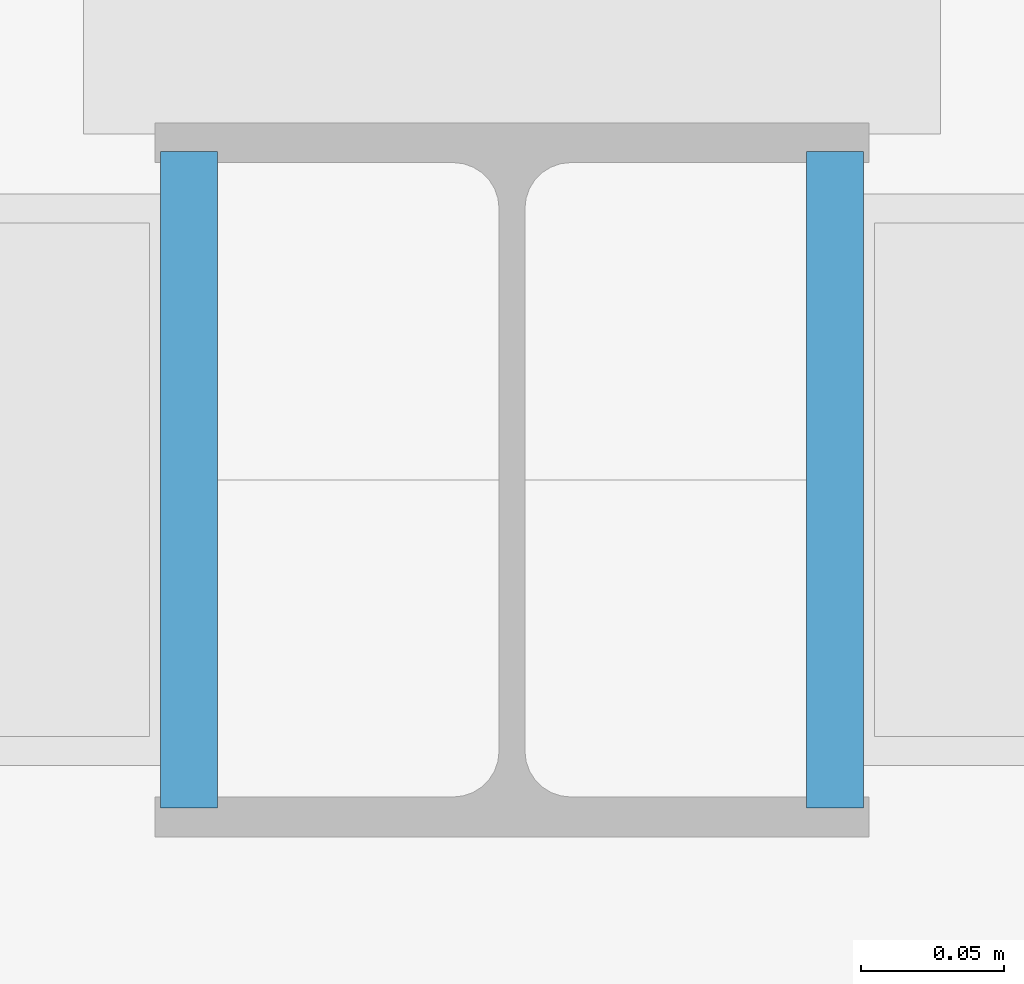
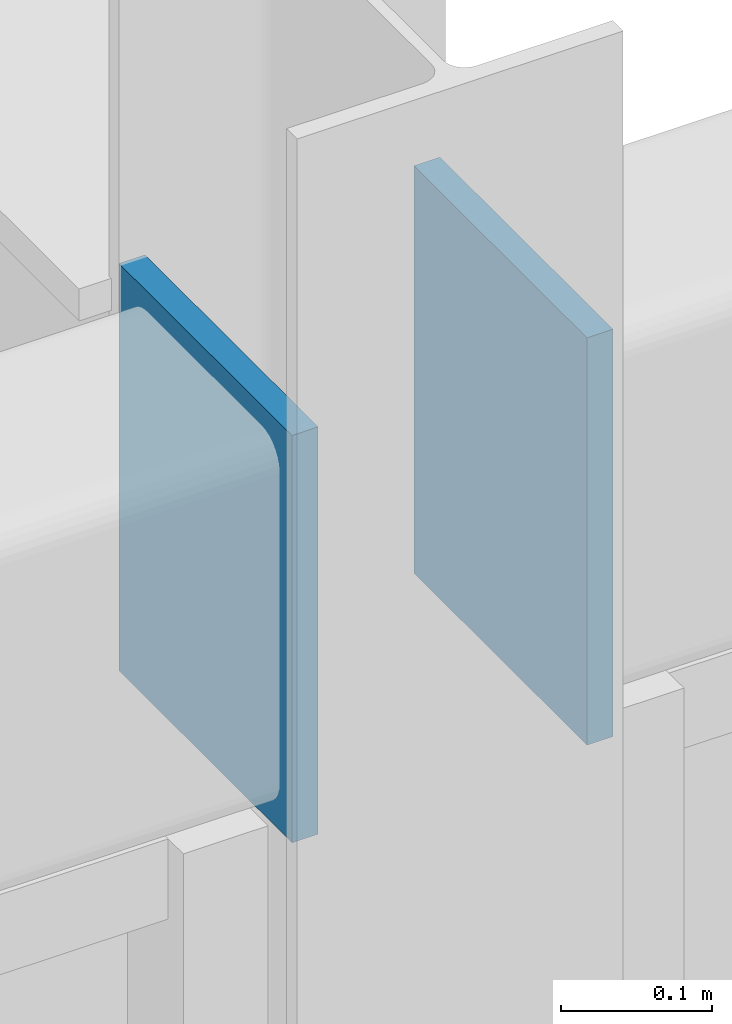
# One storey, part 108 of 184: 2 plates.
"""IFC4 building model written with IfcOpenShell, lengths in metres."""

from ifc_helpers import new_model, si_unit, direction, frame, origin, origin_2d, place, context, subcontext, project, spatial, rectangle, extrude, material, layer, layer_set, type_object, element, save


model = new_model("IFC4")

# Units and contexts
model_context = context("Model", 3, precision=1e-05, world=origin(), true_north=direction((0.0, 1.0)))
body_context = subcontext(model_context, "Body", "Model", "MODEL_VIEW")
ifc_project = project(units=[si_unit("LENGTHUNIT", "METRE"), si_unit("AREAUNIT", "SQUARE_METRE"), si_unit("VOLUMEUNIT", "CUBIC_METRE"), si_unit("PLANEANGLEUNIT", "RADIAN"), si_unit("MASSUNIT", "GRAM", prefix="KILO")], contexts=[model_context])

# Site, building, storey
site_placement = place(None, origin())
site = spatial("IfcSite", under=ifc_project, at=site_placement, CompositionType="ELEMENT")
building_placement = place(site_placement, origin())
building = spatial("IfcBuilding", under=site, at=building_placement, Name="Zhaolan Boulevard Law Courts", CompositionType="ELEMENT")
storey_placement = place(building_placement, frame((0.0, 0.0, 5.39990234375)))
storey = spatial("IfcBuildingStorey", under=building, at=storey_placement, Name="L01", CompositionType="ELEMENT", Elevation=5.39990234375)

# Plates
ifc_material = material(Name="Structural steel Q355B", Category="steel")
ifc_layer = layer(ifc_material, 0.02001953125)
ifc_layer_set = layer_set([ifc_layer])
plate_type = type_object("IfcPlateType", Name="END CAP PLATE 20", PredefinedType="SHEET", material=ifc_layer_set)
for number, where, z_axis, x_axis, name in (
    (1, (59.886962890625, 6.0, 4.822998046875), (0.0, 0.0, 1.0), (1.0, 0.0, 0.0), "Hollow Section End-Cap Plate ECP-0696"),
    (2, (60.113037109375, 6.0, 4.822998046875), (0.0, 0.0, 1.0), (1.0, 0.0, 0.0), "Hollow Section End-Cap Plate ECP-0697"),
):
    element("IfcPlate", number, at=place(storey_placement, frame(where, z_axis=z_axis, x_axis=x_axis)), inside=storey, type_object=plate_type, Name=name, PredefinedType="SHEET", context=body_context, shape_type="SweptSolid", body=[
        extrude(rectangle(XDim=0.02001953125, YDim=0.22998046875, at=origin_2d()), origin(), (0.0, 0.0, 1.0), 0.330078125),
    ])

save(model, "model.ifc")
